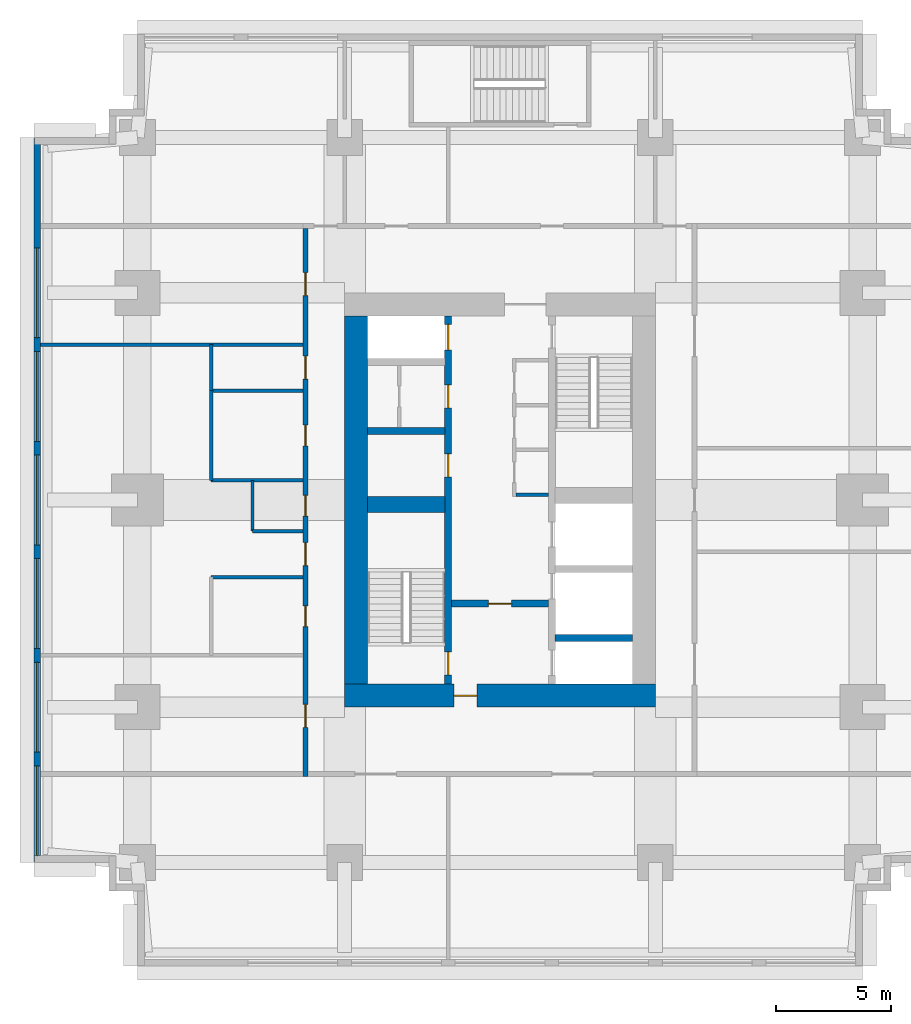
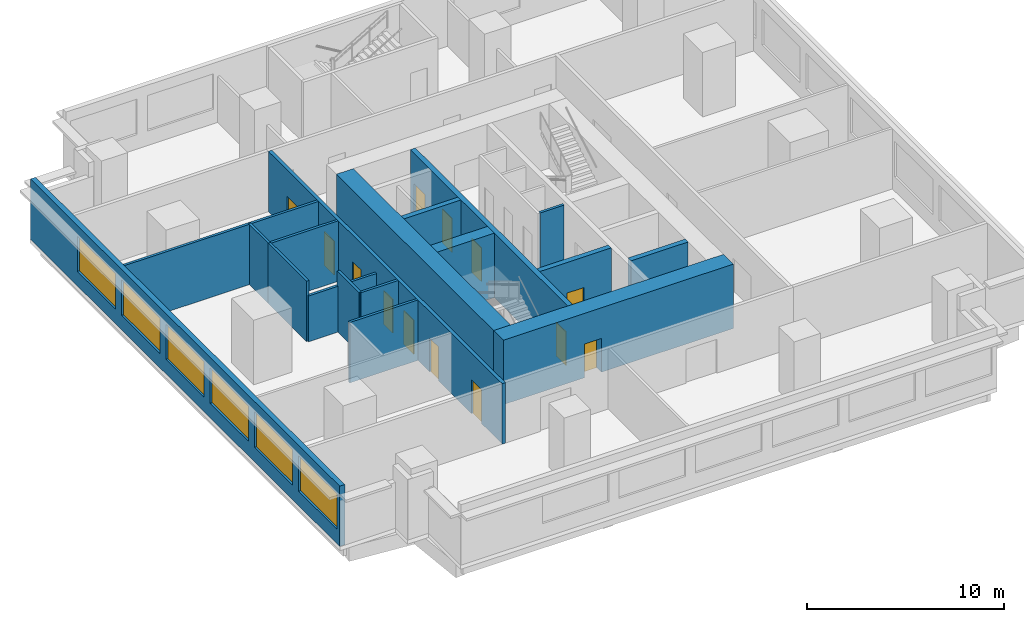
# One storey, part 3 of 11: 18 walls, 13 doors, 6 windows, 19 openings.
"""IFC4 building model written with IfcOpenShell, lengths in metres."""

from ifc_helpers import new_model, si_unit, direction, frame, frame_2d, origin, place, context, subcontext, project, spatial, rectangle, extrude, material, layer, layer_set, type_object, element, fill, save


model = new_model("IFC4")

# Units and contexts
model_context = context("Model", 3, precision=1e-05, world=origin(), true_north=direction((0.0, 1.0)))
body_context = subcontext(model_context, "Body", "Model", "MODEL_VIEW")
ifc_project = project(units=[si_unit("LENGTHUNIT", "METRE"), si_unit("AREAUNIT", "SQUARE_METRE"), si_unit("VOLUMEUNIT", "CUBIC_METRE"), si_unit("PLANEANGLEUNIT", "RADIAN"), si_unit("MASSUNIT", "GRAM", prefix="KILO")], contexts=[model_context])

# Site, building, storey
site_placement = place(None, origin())
site = spatial("IfcSite", under=ifc_project, at=site_placement, CompositionType="ELEMENT")
building_placement = place(site_placement, origin())
building = spatial("IfcBuilding", under=site, at=building_placement, Name="Namib Vertical Campus", CompositionType="ELEMENT")
storey_placement = place(building_placement, frame((0.0, 0.0, 217.0)))
storey = spatial("IfcBuildingStorey", under=building, at=storey_placement, Name="L51", CompositionType="ELEMENT", Elevation=217.0)

# Wall, openings, doors
ifc_material_1 = material(Name="Concrete C60/75", Category="concrete")
ifc_layer_1 = layer(ifc_material_1, 0.300048828125)
ifc_layer_set_1 = layer_set([ifc_layer_1], Name="Concrete C60/75")
wall_type_1 = type_object("IfcWallType", Name="Core inner wall 300", PredefinedType="SHEAR", material=ifc_layer_set_1)
wall_1_placement = place(storey_placement, frame((18.0, 12.25, 0.0), z_axis=(0.0, 0.0, 1.0), x_axis=(0.0, 1.0, 0.0)))
wall_1 = element("IfcWall", 1, at=wall_1_placement, inside=storey, type_object=wall_type_1, Name="Core inner wall A L51 W1", PredefinedType="SHEAR", context=body_context, shape_type="SweptSolid", body=[
    extrude(rectangle(XDim=16.0, YDim=0.300048828125, at=frame_2d((8.0, 0.0))), origin(), (0.0, 0.0, 1.0), 4.0),
])
opening_1_placement = place(wall_1_placement, frame((0.39990234375, 0.0, 0.0)))
opening_1 = element("IfcOpeningElement", 2, at=opening_1_placement, cuts=wall_1, Name="Opening FD1", PredefinedType="OPENING", context=body_context, shape_type="SweptSolid", body=[
    extrude(rectangle(XDim=1.0, YDim=2.10009765625, at=frame_2d((0.5, 1.050048828125))), frame((0.0, 0.159912109375, 0.0), z_axis=(0.0, -1.0, 0.0), x_axis=(1.0, 0.0, 0.0)), (0.0, 0.0, 1.0), 0.320068359375),
])
opening_2_placement = place(wall_1_placement, frame((14.52490234375, 0.0, 0.0)))
opening_2 = element("IfcOpeningElement", 3, at=opening_2_placement, cuts=wall_1, Name="Opening LD1", PredefinedType="OPENING", context=body_context, shape_type="SweptSolid", body=[
    extrude(rectangle(XDim=1.10009765625, YDim=2.10009765625, at=frame_2d((0.550048828125, 1.050048828125))), frame((0.0, 0.159912109375, 0.0), z_axis=(0.0, -1.0, 0.0), x_axis=(1.0, 0.0, 0.0)), (0.0, 0.0, 1.0), 0.320068359375),
])
opening_3_placement = place(wall_1_placement, frame((9.0, 0.0, 0.0)))
opening_3 = element("IfcOpeningElement", 4, at=opening_3_placement, cuts=wall_1, Name="Opening D1", PredefinedType="OPENING", context=body_context, shape_type="SweptSolid", body=[
    extrude(rectangle(XDim=1.0, YDim=2.10009765625, at=frame_2d((0.5, 1.050048828125))), frame((0.0, 0.159912109375, 0.0), z_axis=(0.0, -1.0, 0.0), x_axis=(1.0, 0.0, 0.0)), (0.0, 0.0, 1.0), 0.320068359375),
])
opening_4_placement = place(wall_1_placement, frame((12.0, 0.0, 0.0)))
opening_4 = element("IfcOpeningElement", 5, at=opening_4_placement, cuts=wall_1, Name="Opening D1", PredefinedType="OPENING", context=body_context, shape_type="SweptSolid", body=[
    extrude(rectangle(XDim=1.0, YDim=2.10009765625, at=frame_2d((0.5, 1.050048828125))), frame((0.0, 0.159912109375, 0.0), z_axis=(0.0, -1.0, 0.0), x_axis=(1.0, 0.0, 0.0)), (0.0, 0.0, 1.0), 0.320068359375),
])
ifc_material_2 = material(Name="Timber door leaf", Category="wood")
door_type_1 = type_object("IfcDoorType", Name="Door single 1000x2100", OperationType="SINGLE_SWING_LEFT", PredefinedType="DOOR", material=ifc_material_2)
door_1_placement = place(opening_3_placement, origin())
door_1 = element("IfcDoor", 6, at=door_1_placement, inside=storey, type_object=door_type_1, Name="Door D1 Comms room A L51 P1", OperationType="SINGLE_SWING_LEFT", OverallHeight=2.10009765625, OverallWidth=1.0, PredefinedType="DOOR", context=body_context, shape_type="SweptSolid", body=[
    extrude(rectangle(XDim=1.0, YDim=2.10009765625, at=frame_2d((0.5, 1.050048828125))), frame((0.0, 0.02490234375, 0.0), z_axis=(0.0, -1.0, 0.0), x_axis=(1.0, 0.0, 0.0)), (0.0, 0.0, 1.0), 0.050048828125),
])
fill(opening_3, door_1)
door_2_placement = place(opening_4_placement, origin())
door_2 = element("IfcDoor", 7, at=door_2_placement, inside=storey, type_object=door_type_1, Name="Door D1 Store A L51 P2", OperationType="SINGLE_SWING_LEFT", OverallHeight=2.10009765625, OverallWidth=1.0, PredefinedType="DOOR", context=body_context, shape_type="SweptSolid", body=[
    extrude(rectangle(XDim=1.0, YDim=2.10009765625, at=frame_2d((0.5, 1.050048828125))), frame((0.0, 0.02490234375, 0.0), z_axis=(0.0, -1.0, 0.0), x_axis=(1.0, 0.0, 0.0)), (0.0, 0.0, 1.0), 0.050048828125),
])
fill(opening_4, door_2)
ifc_material_3 = material(Name="Steel fire door", Category="steel")
door_type_2 = type_object("IfcDoorType", Name="Fire door 1000x2100", OperationType="SINGLE_SWING_RIGHT", PredefinedType="DOOR", material=ifc_material_3)
door_3_placement = place(opening_1_placement, origin())
door_3 = element("IfcDoor", 8, at=door_3_placement, inside=storey, type_object=door_type_2, Name="Stair door FD1 A L51 S1", OperationType="SINGLE_SWING_LEFT", OverallHeight=2.10009765625, OverallWidth=1.0, PredefinedType="DOOR", context=body_context, shape_type="SweptSolid", body=[
    extrude(rectangle(XDim=1.0, YDim=2.10009765625, at=frame_2d((0.5, 1.050048828125))), frame((0.0, 0.02490234375, 0.0), z_axis=(0.0, -1.0, 0.0), x_axis=(1.0, 0.0, 0.0)), (0.0, 0.0, 1.0), 0.050048828125),
])
fill(opening_1, door_3)
ifc_material_4 = material(Name="Stainless steel lift door", Category="steel")
door_type_3 = type_object("IfcDoorType", Name="Lift landing door 1100x2100", OperationType="DOUBLE_DOOR_SLIDING", PredefinedType="DOOR", material=ifc_material_4)
door_4_placement = place(opening_2_placement, origin())
door_4 = element("IfcDoor", 9, at=door_4_placement, inside=storey, type_object=door_type_3, Name="Lift landing door LD1 A-P3 L51", OperationType="DOUBLE_DOOR_SLIDING", OverallHeight=2.10009765625, OverallWidth=1.10009765625, PredefinedType="DOOR", context=body_context, shape_type="SweptSolid", body=[
    extrude(rectangle(XDim=1.10009765625, YDim=2.10009765625, at=frame_2d((0.550048828125, 1.050048828125))), frame((0.0, 0.02490234375, 0.0), z_axis=(0.0, -1.0, 0.0), x_axis=(1.0, 0.0, 0.0)), (0.0, 0.0, 1.0), 0.050048828125),
])
fill(opening_2, door_4)

# Wall, opening, door
wall_2_placement = place(storey_placement, frame((18.14990234375, 15.75, 0.0), z_axis=(0.0, 0.0, 1.0), x_axis=(1.0, 0.0, 0.0)))
wall_2 = element("IfcWall", 10, at=wall_2_placement, inside=storey, type_object=wall_type_1, Name="Core inner wall A L51 W4", PredefinedType="SHEAR", context=body_context, shape_type="SweptSolid", body=[
    extrude(rectangle(XDim=4.2001953125, YDim=0.300048828125, at=frame_2d((2.10009765625, 0.0))), origin(), (0.0, 0.0, 1.0), 4.0),
])
opening_5_placement = place(wall_2_placement, frame((1.60009765625, 0.0, 0.0)))
opening_5 = element("IfcOpeningElement", 11, at=opening_5_placement, cuts=wall_2, Name="Opening FD5", PredefinedType="OPENING", context=body_context, shape_type="SweptSolid", body=[
    extrude(rectangle(XDim=1.0, YDim=2.10009765625, at=frame_2d((0.5, 1.050048828125))), frame((0.0, 0.159912109375, 0.0), z_axis=(0.0, -1.0, 0.0), x_axis=(1.0, 0.0, 0.0)), (0.0, 0.0, 1.0), 0.320068359375),
])
ifc_material_5 = material(Name="Steel fire door", Category="steel")
door_type_4 = type_object("IfcDoorType", Name="Fire door 1000x2100 120 min", OperationType="SINGLE_SWING_RIGHT", PredefinedType="DOOR", material=ifc_material_5)
door_5_placement = place(opening_5_placement, frame((1.0, 0.0, 0.0), z_axis=(0.0, 0.0, 1.0), x_axis=(-1.0, 0.0, 0.0)))
door_5 = element("IfcDoor", 12, at=door_5_placement, inside=storey, type_object=door_type_4, Name="Lobby door FD5 A L51", OperationType="SINGLE_SWING_RIGHT", OverallHeight=2.10009765625, OverallWidth=1.0, PredefinedType="DOOR", context=body_context, shape_type="SweptSolid", body=[
    extrude(rectangle(XDim=1.0, YDim=2.10009765625, at=frame_2d((0.5, 1.050048828125))), frame((0.0, 0.02490234375, 0.0), z_axis=(0.0, -1.0, 0.0), x_axis=(1.0, 0.0, 0.0)), (0.0, 0.0, 1.0), 0.050048828125),
])
fill(opening_5, door_5)

# Walls
for number, where, z_axis, x_axis, name in (
    (13, (22.64990234375, 14.25, 0.0), (0.0, 0.0, 1.0), (1.0, 0.0, 0.0), "Core inner wall A L51 W5"),
    (14, (14.5, 23.25, 0.0), (0.0, 0.0, 1.0), (1.0, 0.0, 0.0), "Core inner wall A L51 W8"),
):
    element("IfcWall", number, at=place(storey_placement, frame(where, z_axis=z_axis, x_axis=x_axis)), inside=storey, type_object=wall_type_1, Name=name, PredefinedType="SHEAR", context=body_context, shape_type="SweptSolid", body=[
        extrude(rectangle(XDim=3.35009765625, YDim=0.300048828125, at=frame_2d((1.675048828125, 0.0))), origin(), (0.0, 0.0, 1.0), 4.0),
    ])
ifc_material_6 = material(Name="Concrete C60/75", Category="concrete")
ifc_layer_2 = layer(ifc_material_6, 0.699951171875)
ifc_layer_set_2 = layer_set([ifc_layer_2], Name="Concrete C60/75")
wall_type_2 = type_object("IfcWallType", Name="Core shear wall 700", PredefinedType="SHEAR", material=ifc_layer_set_2)
wall_3_placement = place(storey_placement, frame((14.5, 20.050048828125, 0.0), z_axis=(0.0, 0.0, 1.0), x_axis=(1.0, 0.0, 0.0)))
element("IfcWall", 15, at=wall_3_placement, inside=storey, type_object=wall_type_2, Name="Core shear wall A L51 W3", PredefinedType="SHEAR", context=body_context, shape_type="SweptSolid", body=[
    extrude(rectangle(XDim=3.35009765625, YDim=0.699951171875, at=frame_2d((1.675048828125, 0.0))), origin(), (0.0, 0.0, 1.0), 4.0),
])

# Wall, opening, door
ifc_material_7 = material(Name="Concrete C60/75", Category="concrete")
ifc_layer_3 = layer(ifc_material_7, 1.0)
ifc_layer_set_3 = layer_set([ifc_layer_3], Name="Concrete C60/75")
wall_type_3 = type_object("IfcWallType", Name="Core wall 1000", PredefinedType="SHEAR", material=ifc_layer_set_3)
wall_4_placement = place(storey_placement, frame((13.5, 11.75, 0.0), z_axis=(0.0, 0.0, 1.0), x_axis=(1.0, 0.0, 0.0)))
wall_4 = element("IfcWall", 16, at=wall_4_placement, inside=storey, type_object=wall_type_3, Name="Core wall A L51 1", PredefinedType="SHEAR", context=body_context, shape_type="SweptSolid", body=[
    extrude(rectangle(XDim=13.5, YDim=1.0, at=frame_2d((6.75, 0.0))), origin(), (0.0, 0.0, 1.0), 4.0),
])
opening_6_placement = place(wall_4_placement, frame((4.75, 0.0, 0.0)))
opening_6 = element("IfcOpeningElement", 17, at=opening_6_placement, cuts=wall_4, Name="Opening FD5", PredefinedType="OPENING", context=body_context, shape_type="SweptSolid", body=[
    extrude(rectangle(XDim=1.0, YDim=2.10009765625, at=frame_2d((0.5, 1.050048828125))), frame((0.0, 0.510009765625, 0.0), z_axis=(0.0, -1.0, 0.0), x_axis=(1.0, 0.0, 0.0)), (0.0, 0.0, 1.0), 1.02001953125),
])
door_6_placement = place(opening_6_placement, origin())
door_6 = element("IfcDoor", 18, at=door_6_placement, inside=storey, type_object=door_type_4, Name="Firefighting lobby door FD5 A L51", OperationType="SINGLE_SWING_LEFT", OverallHeight=2.10009765625, OverallWidth=1.0, PredefinedType="DOOR", context=body_context, shape_type="SweptSolid", body=[
    extrude(rectangle(XDim=1.0, YDim=2.10009765625, at=frame_2d((0.5, 1.050048828125))), frame((0.0, 0.02490234375, 0.0), z_axis=(0.0, -1.0, 0.0), x_axis=(1.0, 0.0, 0.0)), (0.0, 0.0, 1.0), 0.050048828125),
])
fill(opening_6, door_6)

# Wall
wall_5_placement = place(storey_placement, frame((14.0, 28.25, 0.0), z_axis=(0.0, 0.0, 1.0), x_axis=(0.0, -1.0, 0.0)))
element("IfcWall", 19, at=wall_5_placement, inside=storey, type_object=wall_type_3, Name="Core wall A L51 4", PredefinedType="SHEAR", context=body_context, shape_type="SweptSolid", body=[
    extrude(rectangle(XDim=16.0, YDim=1.0, at=frame_2d((8.0, 0.0))), origin(), (0.0, 0.0, 1.0), 4.0),
])

# Wall, openings, doors
ifc_material_8 = material(Name="Concrete masonry", Category="masonry")
ifc_layer_4 = layer(ifc_material_8, 0.199951171875)
ifc_layer_set_4 = layer_set([ifc_layer_4], Name="Corridor wall 200")
wall_type_4 = type_object("IfcWallType", Name="Corridor wall 200", PredefinedType="SOLIDWALL", material=ifc_layer_set_4)
wall_6_placement = place(storey_placement, frame((11.800048828125, 32.050048828125, 0.0), z_axis=(0.0, 0.0, 1.0), x_axis=(0.0, -1.0, 0.0)))
wall_6 = element("IfcWall", 20, at=wall_6_placement, inside=storey, type_object=wall_type_4, Name="Corridor wall A L51 CW", PredefinedType="SOLIDWALL", context=body_context, shape_type="SweptSolid", body=[
    extrude(rectangle(XDim=23.800048828125, YDim=0.199951171875, at=frame_2d((11.89990234375, 0.0))), origin(), (0.0, 0.0, 1.0), 3.75),
])
opening_7_placement = place(wall_6_placement, frame((20.675048828125, 0.0, 0.0)))
opening_7 = element("IfcOpeningElement", 21, at=opening_7_placement, cuts=wall_6, Name="Opening CD1", PredefinedType="OPENING", context=body_context, shape_type="SweptSolid", body=[
    extrude(rectangle(XDim=1.0, YDim=2.10009765625, at=frame_2d((0.5, 1.050048828125))), frame((0.0, 0.10986328125, 0.0), z_axis=(0.0, -1.0, 0.0), x_axis=(1.0, 0.0, 0.0)), (0.0, 0.0, 1.0), 0.219970703125),
])
opening_8_placement = place(wall_6_placement, frame((16.39990234375, 0.0, 0.0)))
opening_8 = element("IfcOpeningElement", 22, at=opening_8_placement, cuts=wall_6, Name="Opening CD3", PredefinedType="OPENING", context=body_context, shape_type="SweptSolid", body=[
    extrude(rectangle(XDim=0.89990234375, YDim=2.10009765625, at=frame_2d((0.449951171875, 1.050048828125))), frame((0.0, 0.10986328125, 0.0), z_axis=(0.0, -1.0, 0.0), x_axis=(1.0, 0.0, 0.0)), (0.0, 0.0, 1.0), 0.219970703125),
])
opening_9_placement = place(wall_6_placement, frame((11.60009765625, 0.0, 0.0)))
opening_9 = element("IfcOpeningElement", 23, at=opening_9_placement, cuts=wall_6, Name="Opening CD3", PredefinedType="OPENING", context=body_context, shape_type="SweptSolid", body=[
    extrude(rectangle(XDim=0.89990234375, YDim=2.10009765625, at=frame_2d((0.449951171875, 1.050048828125))), frame((0.0, 0.10986328125, 0.0), z_axis=(0.0, -1.0, 0.0), x_axis=(1.0, 0.0, 0.0)), (0.0, 0.0, 1.0), 0.219970703125),
])
opening_10_placement = place(wall_6_placement, frame((8.550048828125, 0.0, 0.0)))
opening_10 = element("IfcOpeningElement", 24, at=opening_10_placement, cuts=wall_6, Name="Opening CD3", PredefinedType="OPENING", context=body_context, shape_type="SweptSolid", body=[
    extrude(rectangle(XDim=0.89990234375, YDim=2.10009765625, at=frame_2d((0.449951171875, 1.050048828125))), frame((0.0, 0.10986328125, 0.0), z_axis=(0.0, -1.0, 0.0), x_axis=(1.0, 0.0, 0.0)), (0.0, 0.0, 1.0), 0.219970703125),
])
opening_11_placement = place(wall_6_placement, frame((5.550048828125, 0.0, 0.0)))
opening_11 = element("IfcOpeningElement", 25, at=opening_11_placement, cuts=wall_6, Name="Opening CD1", PredefinedType="OPENING", context=body_context, shape_type="SweptSolid", body=[
    extrude(rectangle(XDim=1.0, YDim=2.10009765625, at=frame_2d((0.5, 1.050048828125))), frame((0.0, 0.10986328125, 0.0), z_axis=(0.0, -1.0, 0.0), x_axis=(1.0, 0.0, 0.0)), (0.0, 0.0, 1.0), 0.219970703125),
])
opening_12_placement = place(wall_6_placement, frame((13.64990234375, 0.0, 0.0)))
opening_12 = element("IfcOpeningElement", 26, at=opening_12_placement, cuts=wall_6, Name="Opening CD1", PredefinedType="OPENING", context=body_context, shape_type="SweptSolid", body=[
    extrude(rectangle(XDim=1.0, YDim=2.10009765625, at=frame_2d((0.5, 1.050048828125))), frame((0.0, 0.10986328125, 0.0), z_axis=(0.0, -1.0, 0.0), x_axis=(1.0, 0.0, 0.0)), (0.0, 0.0, 1.0), 0.219970703125),
])
opening_13_placement = place(wall_6_placement, frame((1.925048828125, 0.0, 0.0)))
opening_13 = element("IfcOpeningElement", 27, at=opening_13_placement, cuts=wall_6, Name="Opening CD1", PredefinedType="OPENING", context=body_context, shape_type="SweptSolid", body=[
    extrude(rectangle(XDim=1.0, YDim=2.10009765625, at=frame_2d((0.5, 1.050048828125))), frame((0.0, 0.10986328125, 0.0), z_axis=(0.0, -1.0, 0.0), x_axis=(1.0, 0.0, 0.0)), (0.0, 0.0, 1.0), 0.219970703125),
])
ifc_material_9 = material(Name="Timber fire door leaf", Category="wood")
door_type_5 = type_object("IfcDoorType", Name="Corridor door 1000x2100 20 min", OperationType="SINGLE_SWING_LEFT", PredefinedType="DOOR", material=ifc_material_9)
door_7_placement = place(opening_7_placement, frame((1.0, 0.0, 0.0), z_axis=(0.0, 0.0, 1.0), x_axis=(-1.0, 0.0, 0.0)))
door_7 = element("IfcDoor", 28, at=door_7_placement, inside=storey, type_object=door_type_5, Name="Door CD1 A51-10", OperationType="SINGLE_SWING_RIGHT", OverallHeight=2.10009765625, OverallWidth=1.0, PredefinedType="DOOR", context=body_context, shape_type="SweptSolid", body=[
    extrude(rectangle(XDim=1.0, YDim=2.10009765625, at=frame_2d((0.5, 1.050048828125))), frame((0.0, 0.02490234375, 0.0), z_axis=(0.0, -1.0, 0.0), x_axis=(1.0, 0.0, 0.0)), (0.0, 0.0, 1.0), 0.050048828125),
])
fill(opening_7, door_7)
door_8_placement = place(opening_11_placement, frame((1.0, 0.0, 0.0), z_axis=(0.0, 0.0, 1.0), x_axis=(-1.0, 0.0, 0.0)))
door_8 = element("IfcDoor", 29, at=door_8_placement, inside=storey, type_object=door_type_5, Name="Door CD1 A51-14", OperationType="SINGLE_SWING_RIGHT", OverallHeight=2.10009765625, OverallWidth=1.0, PredefinedType="DOOR", context=body_context, shape_type="SweptSolid", body=[
    extrude(rectangle(XDim=1.0, YDim=2.10009765625, at=frame_2d((0.5, 1.050048828125))), frame((0.0, 0.02490234375, 0.0), z_axis=(0.0, -1.0, 0.0), x_axis=(1.0, 0.0, 0.0)), (0.0, 0.0, 1.0), 0.050048828125),
])
fill(opening_11, door_8)
door_9_placement = place(opening_12_placement, frame((1.0, 0.0, 0.0), z_axis=(0.0, 0.0, 1.0), x_axis=(-1.0, 0.0, 0.0)))
door_9 = element("IfcDoor", 30, at=door_9_placement, inside=storey, type_object=door_type_5, Name="Door CD1 A51-15", OperationType="SINGLE_SWING_RIGHT", OverallHeight=2.10009765625, OverallWidth=1.0, PredefinedType="DOOR", context=body_context, shape_type="SweptSolid", body=[
    extrude(rectangle(XDim=1.0, YDim=2.10009765625, at=frame_2d((0.5, 1.050048828125))), frame((0.0, 0.02490234375, 0.0), z_axis=(0.0, -1.0, 0.0), x_axis=(1.0, 0.0, 0.0)), (0.0, 0.0, 1.0), 0.050048828125),
])
fill(opening_12, door_9)
door_10_placement = place(opening_13_placement, frame((1.0, 0.0, 0.0), z_axis=(0.0, 0.0, 1.0), x_axis=(-1.0, 0.0, 0.0)))
door_10 = element("IfcDoor", 31, at=door_10_placement, inside=storey, type_object=door_type_5, Name="Door CD1 A51-16", OperationType="SINGLE_SWING_RIGHT", OverallHeight=2.10009765625, OverallWidth=1.0, PredefinedType="DOOR", context=body_context, shape_type="SweptSolid", body=[
    extrude(rectangle(XDim=1.0, YDim=2.10009765625, at=frame_2d((0.5, 1.050048828125))), frame((0.0, 0.02490234375, 0.0), z_axis=(0.0, -1.0, 0.0), x_axis=(1.0, 0.0, 0.0)), (0.0, 0.0, 1.0), 0.050048828125),
])
fill(opening_13, door_10)
ifc_material_10 = material(Name="Timber fire door leaf", Category="wood")
door_type_6 = type_object("IfcDoorType", Name="Corridor toilet door 900x2100 20 min", OperationType="SINGLE_SWING_LEFT", PredefinedType="DOOR", material=ifc_material_10)
door_11_placement = place(opening_8_placement, frame((0.89990234375, 0.0, 0.0), z_axis=(0.0, 0.0, 1.0), x_axis=(-1.0, 0.0, 0.0)))
door_11 = element("IfcDoor", 32, at=door_11_placement, inside=storey, type_object=door_type_6, Name="Door CD3 A51-11", OperationType="SINGLE_SWING_RIGHT", OverallHeight=2.10009765625, OverallWidth=0.89990234375, PredefinedType="DOOR", context=body_context, shape_type="SweptSolid", body=[
    extrude(rectangle(XDim=0.89990234375, YDim=2.10009765625, at=frame_2d((0.449951171875, 1.050048828125))), frame((0.0, 0.02490234375, 0.0), z_axis=(0.0, -1.0, 0.0), x_axis=(1.0, 0.0, 0.0)), (0.0, 0.0, 1.0), 0.050048828125),
])
fill(opening_8, door_11)
door_12_placement = place(opening_9_placement, frame((0.89990234375, 0.0, 0.0), z_axis=(0.0, 0.0, 1.0), x_axis=(-1.0, 0.0, 0.0)))
door_12 = element("IfcDoor", 33, at=door_12_placement, inside=storey, type_object=door_type_6, Name="Door CD3 A51-12", OperationType="SINGLE_SWING_RIGHT", OverallHeight=2.10009765625, OverallWidth=0.89990234375, PredefinedType="DOOR", context=body_context, shape_type="SweptSolid", body=[
    extrude(rectangle(XDim=0.89990234375, YDim=2.10009765625, at=frame_2d((0.449951171875, 1.050048828125))), frame((0.0, 0.02490234375, 0.0), z_axis=(0.0, -1.0, 0.0), x_axis=(1.0, 0.0, 0.0)), (0.0, 0.0, 1.0), 0.050048828125),
])
fill(opening_9, door_12)
door_13_placement = place(opening_10_placement, frame((0.89990234375, 0.0, 0.0), z_axis=(0.0, 0.0, 1.0), x_axis=(-1.0, 0.0, 0.0)))
door_13 = element("IfcDoor", 34, at=door_13_placement, inside=storey, type_object=door_type_6, Name="Door CD3 A51-13", OperationType="SINGLE_SWING_RIGHT", OverallHeight=2.10009765625, OverallWidth=0.89990234375, PredefinedType="DOOR", context=body_context, shape_type="SweptSolid", body=[
    extrude(rectangle(XDim=0.89990234375, YDim=2.10009765625, at=frame_2d((0.449951171875, 1.050048828125))), frame((0.0, 0.02490234375, 0.0), z_axis=(0.0, -1.0, 0.0), x_axis=(1.0, 0.0, 0.0)), (0.0, 0.0, 1.0), 0.050048828125),
])
fill(opening_10, door_13)

# Wall, openings, windows
ifc_material_11 = material(Name="Concrete C40/50", Category="concrete")
ifc_layer_5 = layer(ifc_material_11, 0.300048828125)
ifc_layer_set_5 = layer_set([ifc_layer_5], Name="Concrete C40/50")
wall_type_5 = type_object("IfcWallType", Name="External wall 300 board-marked concrete", PredefinedType="STANDARD", material=ifc_layer_set_5)
wall_7_placement = place(storey_placement, frame((0.14990234375, 35.97998046875, 0.0), z_axis=(0.0, 0.0, 1.0), x_axis=(0.0, -1.0, 0.0)))
wall_7 = element("IfcWall", 35, at=wall_7_placement, inside=storey, type_object=wall_type_5, Name="External wall L51 F16", PredefinedType="STANDARD", context=body_context, shape_type="SweptSolid", body=[
    extrude(rectangle(XDim=31.4599609375, YDim=0.300048828125, at=frame_2d((15.72998046875, 0.0))), origin(), (0.0, 0.0, 1.0), 3.75),
])
opening_14_placement = place(wall_7_placement, frame((27.280029296875, 0.0, 0.89990234375)))
opening_14 = element("IfcOpeningElement", 36, at=opening_14_placement, cuts=wall_7, Name="Opening W1", PredefinedType="OPENING", context=body_context, shape_type="SweptSolid", body=[
    extrude(rectangle(XDim=3.89990234375, YDim=2.199951171875, at=frame_2d((1.949951171875, 1.10009765625))), frame((0.0, 0.159912109375, 0.0), z_axis=(0.0, -1.0, 0.0), x_axis=(1.0, 0.0, 0.0)), (0.0, 0.0, 1.0), 0.320068359375),
])
opening_15_placement = place(wall_7_placement, frame((22.780029296875, 0.0, 0.89990234375)))
opening_15 = element("IfcOpeningElement", 37, at=opening_15_placement, cuts=wall_7, Name="Opening W1", PredefinedType="OPENING", context=body_context, shape_type="SweptSolid", body=[
    extrude(rectangle(XDim=3.89990234375, YDim=2.199951171875, at=frame_2d((1.949951171875, 1.10009765625))), frame((0.0, 0.159912109375, 0.0), z_axis=(0.0, -1.0, 0.0), x_axis=(1.0, 0.0, 0.0)), (0.0, 0.0, 1.0), 0.320068359375),
])
opening_16_placement = place(wall_7_placement, frame((18.280029296875, 0.0, 0.89990234375)))
opening_16 = element("IfcOpeningElement", 38, at=opening_16_placement, cuts=wall_7, Name="Opening W1", PredefinedType="OPENING", context=body_context, shape_type="SweptSolid", body=[
    extrude(rectangle(XDim=3.89990234375, YDim=2.199951171875, at=frame_2d((1.949951171875, 1.10009765625))), frame((0.0, 0.159912109375, 0.0), z_axis=(0.0, -1.0, 0.0), x_axis=(1.0, 0.0, 0.0)), (0.0, 0.0, 1.0), 0.320068359375),
])
opening_17_placement = place(wall_7_placement, frame((13.780029296875, 0.0, 0.89990234375)))
opening_17 = element("IfcOpeningElement", 39, at=opening_17_placement, cuts=wall_7, Name="Opening W1", PredefinedType="OPENING", context=body_context, shape_type="SweptSolid", body=[
    extrude(rectangle(XDim=3.89990234375, YDim=2.199951171875, at=frame_2d((1.949951171875, 1.10009765625))), frame((0.0, 0.159912109375, 0.0), z_axis=(0.0, -1.0, 0.0), x_axis=(1.0, 0.0, 0.0)), (0.0, 0.0, 1.0), 0.320068359375),
])
opening_18_placement = place(wall_7_placement, frame((9.280029296875, 0.0, 0.89990234375)))
opening_18 = element("IfcOpeningElement", 40, at=opening_18_placement, cuts=wall_7, Name="Opening W1", PredefinedType="OPENING", context=body_context, shape_type="SweptSolid", body=[
    extrude(rectangle(XDim=3.89990234375, YDim=2.199951171875, at=frame_2d((1.949951171875, 1.10009765625))), frame((0.0, 0.159912109375, 0.0), z_axis=(0.0, -1.0, 0.0), x_axis=(1.0, 0.0, 0.0)), (0.0, 0.0, 1.0), 0.320068359375),
])
opening_19_placement = place(wall_7_placement, frame((4.780029296875, 0.0, 0.89990234375)))
opening_19 = element("IfcOpeningElement", 41, at=opening_19_placement, cuts=wall_7, Name="Opening W1", PredefinedType="OPENING", context=body_context, shape_type="SweptSolid", body=[
    extrude(rectangle(XDim=3.89990234375, YDim=2.199951171875, at=frame_2d((1.949951171875, 1.10009765625))), frame((0.0, 0.159912109375, 0.0), z_axis=(0.0, -1.0, 0.0), x_axis=(1.0, 0.0, 0.0)), (0.0, 0.0, 1.0), 0.320068359375),
])
ifc_material_12 = material(Name="Dark tinted glass in black aluminium frame", Category="aluminium")
window_type = type_object("IfcWindowType", Name="Ribbon window 3900x2200", PartitioningType="SINGLE_PANEL", PredefinedType="WINDOW", material=ifc_material_12)
window_1_placement = place(opening_14_placement, origin())
window_1 = element("IfcWindow", 42, at=window_1_placement, inside=storey, type_object=window_type, Name="Window W1 L51 F16-1", OverallHeight=2.199951171875, OverallWidth=3.89990234375, PartitioningType="SINGLE_PANEL", PredefinedType="WINDOW", context=body_context, shape_type="SweptSolid", body=[
    extrude(rectangle(XDim=3.89990234375, YDim=2.199951171875, at=frame_2d((1.949951171875, 1.10009765625))), frame((0.0, 0.030029296875, 0.0), z_axis=(0.0, -1.0, 0.0), x_axis=(1.0, 0.0, 0.0)), (0.0, 0.0, 1.0), 0.06005859375),
])
fill(opening_14, window_1)
window_2_placement = place(opening_15_placement, origin())
window_2 = element("IfcWindow", 43, at=window_2_placement, inside=storey, type_object=window_type, Name="Window W1 L51 F16-2", OverallHeight=2.199951171875, OverallWidth=3.89990234375, PartitioningType="SINGLE_PANEL", PredefinedType="WINDOW", context=body_context, shape_type="SweptSolid", body=[
    extrude(rectangle(XDim=3.89990234375, YDim=2.199951171875, at=frame_2d((1.949951171875, 1.10009765625))), frame((0.0, 0.030029296875, 0.0), z_axis=(0.0, -1.0, 0.0), x_axis=(1.0, 0.0, 0.0)), (0.0, 0.0, 1.0), 0.06005859375),
])
fill(opening_15, window_2)
window_3_placement = place(opening_16_placement, origin())
window_3 = element("IfcWindow", 44, at=window_3_placement, inside=storey, type_object=window_type, Name="Window W1 L51 F16-3", OverallHeight=2.199951171875, OverallWidth=3.89990234375, PartitioningType="SINGLE_PANEL", PredefinedType="WINDOW", context=body_context, shape_type="SweptSolid", body=[
    extrude(rectangle(XDim=3.89990234375, YDim=2.199951171875, at=frame_2d((1.949951171875, 1.10009765625))), frame((0.0, 0.030029296875, 0.0), z_axis=(0.0, -1.0, 0.0), x_axis=(1.0, 0.0, 0.0)), (0.0, 0.0, 1.0), 0.06005859375),
])
fill(opening_16, window_3)
window_4_placement = place(opening_17_placement, origin())
window_4 = element("IfcWindow", 45, at=window_4_placement, inside=storey, type_object=window_type, Name="Window W1 L51 F16-4", OverallHeight=2.199951171875, OverallWidth=3.89990234375, PartitioningType="SINGLE_PANEL", PredefinedType="WINDOW", context=body_context, shape_type="SweptSolid", body=[
    extrude(rectangle(XDim=3.89990234375, YDim=2.199951171875, at=frame_2d((1.949951171875, 1.10009765625))), frame((0.0, 0.030029296875, 0.0), z_axis=(0.0, -1.0, 0.0), x_axis=(1.0, 0.0, 0.0)), (0.0, 0.0, 1.0), 0.06005859375),
])
fill(opening_17, window_4)
window_5_placement = place(opening_18_placement, origin())
window_5 = element("IfcWindow", 46, at=window_5_placement, inside=storey, type_object=window_type, Name="Window W1 L51 F16-5", OverallHeight=2.199951171875, OverallWidth=3.89990234375, PartitioningType="SINGLE_PANEL", PredefinedType="WINDOW", context=body_context, shape_type="SweptSolid", body=[
    extrude(rectangle(XDim=3.89990234375, YDim=2.199951171875, at=frame_2d((1.949951171875, 1.10009765625))), frame((0.0, 0.030029296875, 0.0), z_axis=(0.0, -1.0, 0.0), x_axis=(1.0, 0.0, 0.0)), (0.0, 0.0, 1.0), 0.06005859375),
])
fill(opening_18, window_5)
window_6_placement = place(opening_19_placement, origin())
window_6 = element("IfcWindow", 47, at=window_6_placement, inside=storey, type_object=window_type, Name="Window W1 L51 F16-6", OverallHeight=2.199951171875, OverallWidth=3.89990234375, PartitioningType="SINGLE_PANEL", PredefinedType="WINDOW", context=body_context, shape_type="SweptSolid", body=[
    extrude(rectangle(XDim=3.89990234375, YDim=2.199951171875, at=frame_2d((1.949951171875, 1.10009765625))), frame((0.0, 0.030029296875, 0.0), z_axis=(0.0, -1.0, 0.0), x_axis=(1.0, 0.0, 0.0)), (0.0, 0.0, 1.0), 0.06005859375),
])
fill(opening_19, window_6)

# Walls
ifc_material_13 = material(Name="Gypsum board on steel studs", Category="steel")
ifc_layer_6 = layer(ifc_material_13, 0.14990234375)
ifc_layer_set_6 = layer_set([ifc_layer_6], Name="Gypsum board on steel studs")
wall_type_6 = type_object("IfcWallType", Name="Partition 150", PredefinedType="PARTITIONING", material=ifc_layer_set_6)
wall_8_placement = place(storey_placement, frame((20.949951171875, 20.47509765625, 0.0), z_axis=(0.0, 0.0, 1.0), x_axis=(1.0, 0.0, 0.0)))
element("IfcWall", 48, at=wall_8_placement, inside=storey, type_object=wall_type_6, Name="Partition A L51 Records store and Cleaners' store and Linen store end 1", PredefinedType="PARTITIONING", context=body_context, shape_type="SweptSolid", body=[
    extrude(rectangle(XDim=1.400146484375, YDim=0.14990234375, at=frame_2d((0.7001953125, 0.0))), origin(), (0.0, 0.0, 1.0), 3.75),
])
wall_9_placement = place(storey_placement, frame((0.300048828125, 27.0, 0.0), z_axis=(0.0, 0.0, 1.0), x_axis=(1.0, 0.0, 0.0)))
element("IfcWall", 49, at=wall_9_placement, inside=storey, type_object=wall_type_6, Name="Partition A L51 PW2", PredefinedType="PARTITIONING", context=body_context, shape_type="SweptSolid", body=[
    extrude(rectangle(XDim=11.39990234375, YDim=0.14990234375, at=frame_2d((5.699951171875, 0.0))), origin(), (0.0, 0.0, 1.0), 3.75),
])
wall_10_placement = place(storey_placement, frame((11.699951171875, 16.89990234375, 0.0), z_axis=(0.0, 0.0, 1.0), x_axis=(-1.0, 0.0, 0.0)))
element("IfcWall", 50, at=wall_10_placement, inside=storey, type_object=wall_type_6, Name="Partition A L51 WR1", PredefinedType="PARTITIONING", context=body_context, shape_type="SweptSolid", body=[
    extrude(rectangle(XDim=4.0, YDim=0.14990234375, at=frame_2d((2.0, 0.0))), origin(), (0.0, 0.0, 1.0), 3.75),
])
wall_11_placement = place(storey_placement, frame((11.699951171875, 18.89990234375, 0.0), z_axis=(0.0, 0.0, 1.0), x_axis=(-1.0, 0.0, 0.0)))
element("IfcWall", 51, at=wall_11_placement, inside=storey, type_object=wall_type_6, Name="Partition A L51 WR2", PredefinedType="PARTITIONING", context=body_context, shape_type="SweptSolid", body=[
    extrude(rectangle(XDim=2.199951171875, YDim=0.14990234375, at=frame_2d((1.10009765625, 0.0))), origin(), (0.0, 0.0, 1.0), 3.75),
])
wall_12_placement = place(storey_placement, frame((11.699951171875, 21.10009765625, 0.0), z_axis=(0.0, 0.0, 1.0), x_axis=(-1.0, 0.0, 0.0)))
element("IfcWall", 52, at=wall_12_placement, inside=storey, type_object=wall_type_6, Name="Partition A L51 WR3", PredefinedType="PARTITIONING", context=body_context, shape_type="SweptSolid", body=[
    extrude(rectangle(XDim=4.0, YDim=0.14990234375, at=frame_2d((2.0, 0.0))), origin(), (0.0, 0.0, 1.0), 2.85009765625),
])
wall_13_placement = place(storey_placement, frame((11.699951171875, 25.0, 0.0), z_axis=(0.0, 0.0, 1.0), x_axis=(-1.0, 0.0, 0.0)))
element("IfcWall", 53, at=wall_13_placement, inside=storey, type_object=wall_type_6, Name="Partition A L51 WR4", PredefinedType="PARTITIONING", context=body_context, shape_type="SweptSolid", body=[
    extrude(rectangle(XDim=4.0, YDim=0.14990234375, at=frame_2d((2.0, 0.0))), origin(), (0.0, 0.0, 1.0), 3.75),
])
wall_14_placement = place(storey_placement, frame((9.5, 18.89990234375, 0.0), z_axis=(0.0, 0.0, 1.0), x_axis=(0.0, 1.0, 0.0)))
element("IfcWall", 54, at=wall_14_placement, inside=storey, type_object=wall_type_6, Name="Partition A L51 WB2", PredefinedType="PARTITIONING", context=body_context, shape_type="SweptSolid", body=[
    extrude(rectangle(XDim=2.2001953125, YDim=0.14990234375, at=frame_2d((1.10009765625, 0.0))), origin(), (0.0, 0.0, 1.0), 3.75),
])
wall_15_placement = place(storey_placement, frame((7.699951171875, 21.10009765625, 0.0), z_axis=(0.0, 0.0, 1.0), x_axis=(0.0, 1.0, 0.0)))
element("IfcWall", 55, at=wall_15_placement, inside=storey, type_object=wall_type_6, Name="Partition A L51 WB3", PredefinedType="PARTITIONING", context=body_context, shape_type="SweptSolid", body=[
    extrude(rectangle(XDim=3.89990234375, YDim=0.14990234375, at=frame_2d((1.949951171875, 0.0))), origin(), (0.0, 0.0, 1.0), 3.75),
])
wall_16_placement = place(storey_placement, frame((7.699951171875, 25.0, 0.0), z_axis=(0.0, 0.0, 1.0), x_axis=(0.0, 1.0, 0.0)))
element("IfcWall", 56, at=wall_16_placement, inside=storey, type_object=wall_type_6, Name="Partition A L51 WB4", PredefinedType="PARTITIONING", context=body_context, shape_type="SweptSolid", body=[
    extrude(rectangle(XDim=2.0, YDim=0.14990234375, at=frame_2d((1.0, 0.0))), origin(), (0.0, 0.0, 1.0), 3.75),
])

save(model, "model.ifc")
